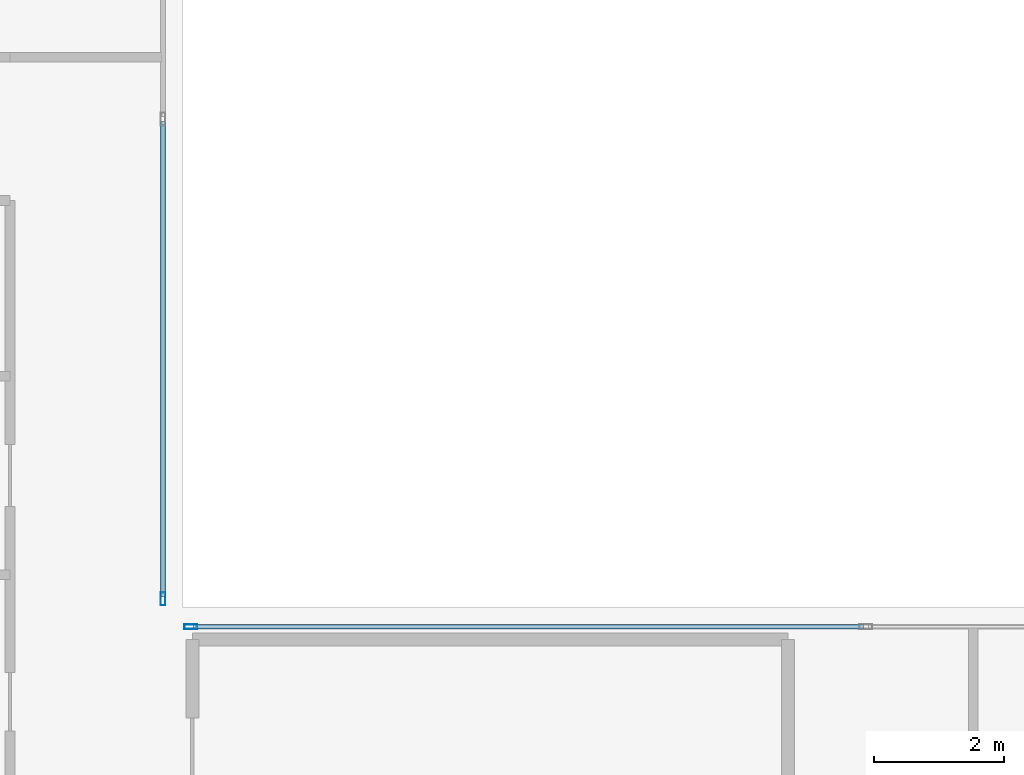
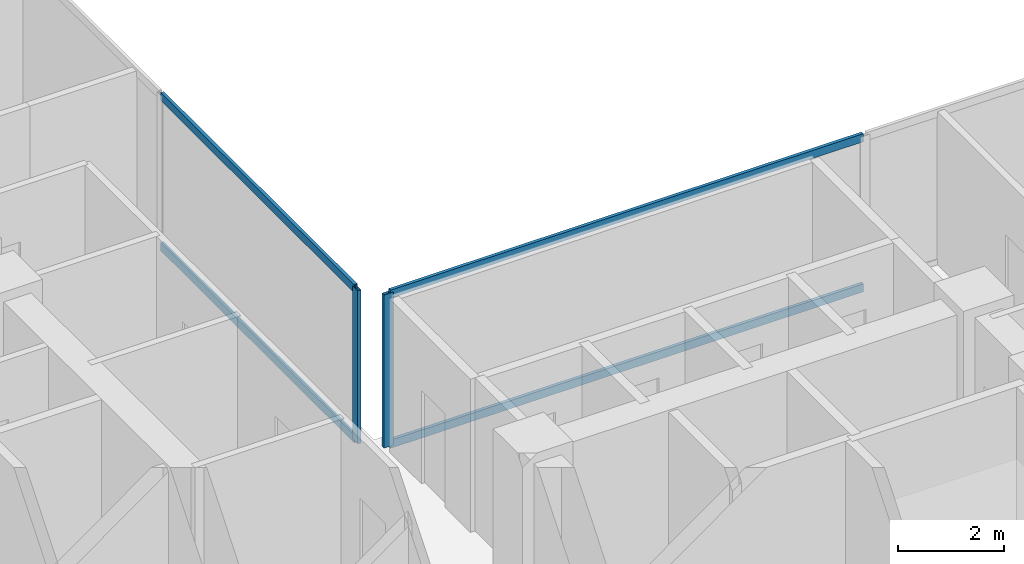
# One storey, part 8 of 24: 6 members, 2 elements without a shape of their own.
"""IFC4 building model written with IfcOpenShell, lengths in metres."""

from ifc_helpers import new_model, si_unit, direction, frame, origin, origin_2d, place, context, subcontext, project, spatial, hollow_rectangle, extrude, material, layer, layer_set, material_profile, profile_set, type_object, element, aggregate, save


model = new_model("IFC4")

# Units and contexts
model_context = context("Model", 3, precision=1e-05, world=origin(), true_north=direction((0.0, 1.0)))
body_context = subcontext(model_context, "Body", "Model", "MODEL_VIEW")
ifc_project = project(units=[si_unit("LENGTHUNIT", "METRE"), si_unit("AREAUNIT", "SQUARE_METRE"), si_unit("VOLUMEUNIT", "CUBIC_METRE"), si_unit("PLANEANGLEUNIT", "RADIAN"), si_unit("MASSUNIT", "GRAM", prefix="KILO"), si_unit("THERMODYNAMICTEMPERATUREUNIT", "KELVIN"), si_unit("POWERUNIT", "WATT")], contexts=[model_context])

# Site, building, storey
site_placement = place(None, origin())
site = spatial("IfcSite", under=ifc_project, at=site_placement, CompositionType="ELEMENT")
building_placement = place(site_placement, origin())
building = spatial("IfcBuilding", under=site, at=building_placement, Name="Svarakhadi Broadcast Tower", CompositionType="ELEMENT")
storey_placement = place(building_placement, frame((0.0, 0.0, 126.89990234375)))
storey = spatial("IfcBuildingStorey", under=building, at=storey_placement, Name="L30", CompositionType="ELEMENT", Elevation=126.89990234375)

# Curtain wall, member
ifc_material = material(Name="Anodised Bronze Aluminium AA 6063-T6", Category="aluminium")
ifc_layer = layer(ifc_material, 0.199951171875)
ifc_layer_set = layer_set([ifc_layer], Name="Anodised Bronze Aluminium AA 6063-T6")
curtain_wall_type = type_object("IfcCurtainWallType", Name="CW_Sys_03", PredefinedType="NOTDEFINED", material=ifc_layer_set)
curtain_wall_1_placement = place(storey_placement, origin())
curtain_wall_1 = element("IfcCurtainWall", 1, at=curtain_wall_1_placement, inside=storey, type_object=curtain_wall_type, Name="L30 Unitised Facade Curtain Wall 09", PredefinedType="NOTDEFINED")
ifc_material_profile_1 = material_profile(ifc_material, hollow_rectangle(XDim=0.074951171875, YDim=0.199951171875, WallThickness=0.005615234375, at=origin_2d()), Name="ALU MULLION 200x75x6")
ifc_profile_set_1 = profile_set([ifc_material_profile_1], Name="Anodised Bronze Aluminium AA 6063-T6")
member_type_1 = type_object("IfcMemberType", Name="CW_Sys_03_Mul", PredefinedType="MULLION", material=ifc_profile_set_1)
member_1_placement = place(storey_placement, frame((23.699951171875, 24.12744140625, 0.0), z_axis=(0.0, 0.0, 1.0), x_axis=(1.0, 0.0, 0.0)))
member_1 = element("IfcMember", 2, at=member_1_placement, type_object=member_type_1, Name="CW-03 mullion 3", PredefinedType="MULLION", context=body_context, shape_type="SweptSolid", body=[
    extrude(hollow_rectangle(XDim=0.074951171875, YDim=0.199951171875, WallThickness=0.005615234375, at=origin_2d()), origin(), (0.0, 0.0, 1.0), 3.525146484375),
])

curtain_wall_2_placement = place(storey_placement, origin())
curtain_wall_2 = element("IfcCurtainWall", 3, at=curtain_wall_2_placement, inside=storey, type_object=curtain_wall_type, Name="L30 Unitised Facade Curtain Wall 10", PredefinedType="NOTDEFINED")
member_2_placement = place(storey_placement, frame((24.12744140625, 23.699951171875, 0.0), z_axis=(0.0, 0.0, 1.0), x_axis=(0.0, 1.0, 0.0)))
member_2 = element("IfcMember", 4, at=member_2_placement, type_object=member_type_1, Name="CW-03 mullion 1", PredefinedType="MULLION", context=body_context, shape_type="SweptSolid", body=[
    extrude(hollow_rectangle(XDim=0.074951171875, YDim=0.199951171875, WallThickness=0.005615234375, at=origin_2d()), origin(), (0.0, 0.0, 1.0), 3.525146484375),
])

# Member
ifc_material_profile_2 = material_profile(ifc_material, hollow_rectangle(XDim=0.070068359375, YDim=0.18505859375, WallThickness=0.0048828125, at=origin_2d()), Name="ALU TRANSOM 185x70x5")
ifc_profile_set_2 = profile_set([ifc_material_profile_2], Name="Anodised Bronze Aluminium AA 6063-T6")
member_type_2 = type_object("IfcMemberType", Name="CW_Sys_03_Trn", PredefinedType="USERDEFINED", material=ifc_profile_set_2)
member_3_placement = place(storey_placement, frame((23.699951171875, 31.46240234375, 0.03515625), z_axis=(0.0, -1.0, 0.0), x_axis=(1.0, 0.0, 0.0)))
member_3 = element("IfcMember", 5, at=member_3_placement, type_object=member_type_2, Name="CW-03 transom 2.1", ObjectType="TRANSOM", PredefinedType="USERDEFINED", context=body_context, shape_type="SweptSolid", body=[
    extrude(hollow_rectangle(XDim=0.070068359375, YDim=0.18505859375, WallThickness=0.0048828125, at=origin_2d()), origin(), (0.0, 0.0, 1.0), 7.29736328125),
])

member_4_placement = place(storey_placement, frame((23.699951171875, 31.46240234375, 3.489990234375), z_axis=(0.0, -1.0, 0.0), x_axis=(1.0, 0.0, 0.0)))
member_4 = element("IfcMember", 6, at=member_4_placement, type_object=member_type_2, Name="CW-03 transom 2.2", ObjectType="TRANSOM", PredefinedType="USERDEFINED", context=body_context, shape_type="SweptSolid", body=[
    extrude(hollow_rectangle(XDim=0.070068359375, YDim=0.18505859375, WallThickness=0.0048828125, at=origin_2d()), origin(), (0.0, 0.0, 1.0), 7.29736328125),
])

aggregate(curtain_wall_1, [member_1, member_3, member_4])

member_5_placement = place(storey_placement, frame((24.1650390625, 23.699951171875, 0.03515625), z_axis=(1.0, 0.0, 0.0), x_axis=(0.0, 1.0, 0.0)))
member_5 = element("IfcMember", 7, at=member_5_placement, type_object=member_type_2, Name="CW-03 transom 1.1", ObjectType="TRANSOM", PredefinedType="USERDEFINED", context=body_context, shape_type="SweptSolid", body=[
    extrude(hollow_rectangle(XDim=0.070068359375, YDim=0.18505859375, WallThickness=0.0048828125, at=origin_2d()), origin(), (0.0, 0.0, 1.0), 10.29736328125),
])

member_6_placement = place(storey_placement, frame((24.1650390625, 23.699951171875, 3.489990234375), z_axis=(1.0, 0.0, 0.0), x_axis=(0.0, 1.0, 0.0)))
member_6 = element("IfcMember", 8, at=member_6_placement, type_object=member_type_2, Name="CW-03 transom 1.2", ObjectType="TRANSOM", PredefinedType="USERDEFINED", context=body_context, shape_type="SweptSolid", body=[
    extrude(hollow_rectangle(XDim=0.070068359375, YDim=0.18505859375, WallThickness=0.0048828125, at=origin_2d()), origin(), (0.0, 0.0, 1.0), 10.29736328125),
])

aggregate(curtain_wall_2, [member_2, member_5, member_6])

save(model, "model.ifc")
